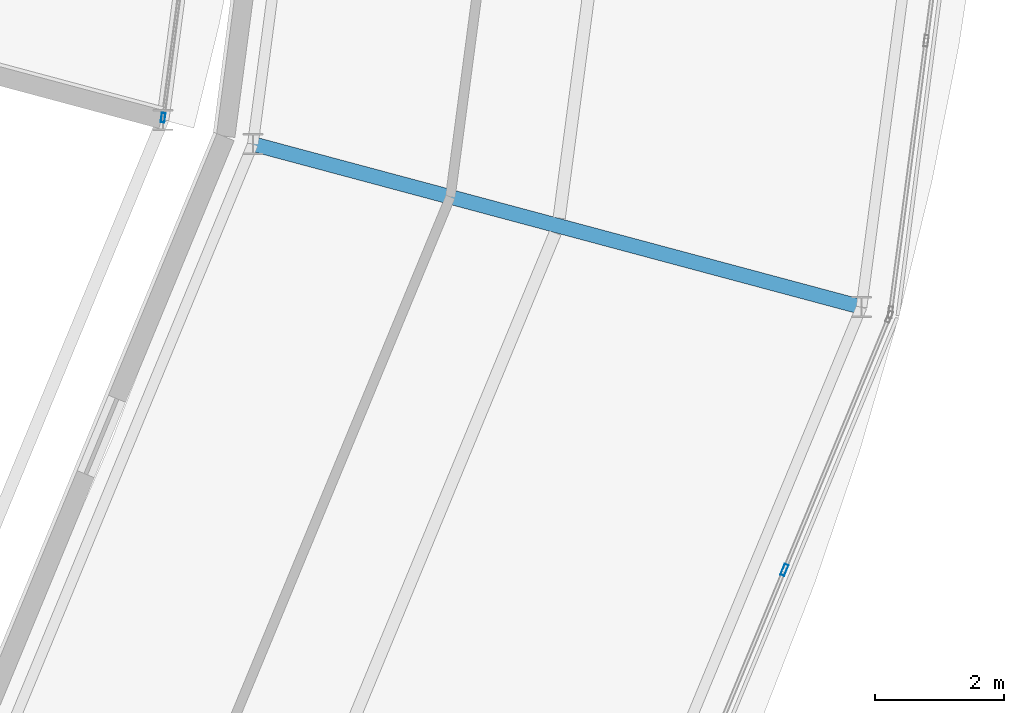
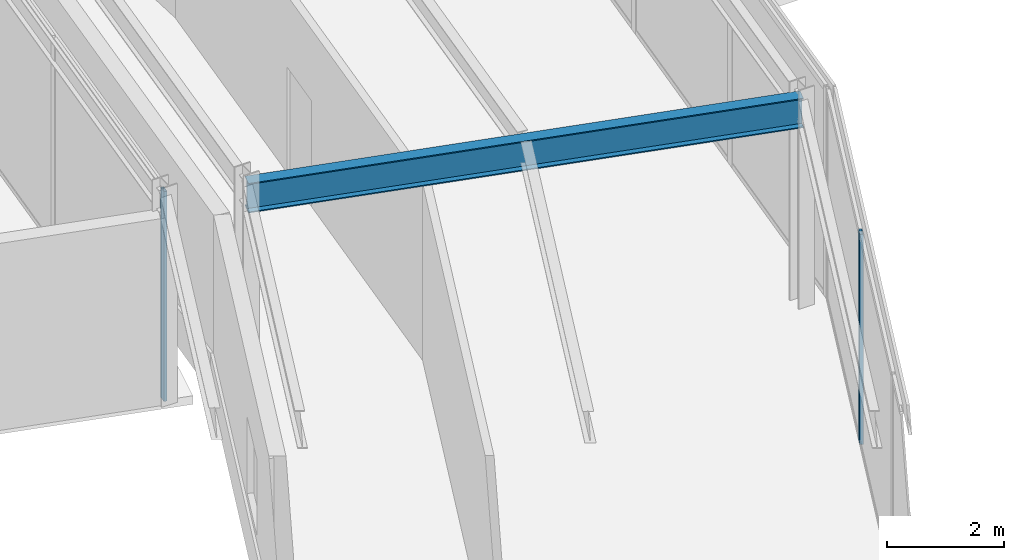
# One storey, part 39 of 133: 2 members, 1 beam, 2 elements without a shape of their own.
"""IFC4 building model written with IfcOpenShell, lengths in metres."""

from ifc_helpers import new_model, si_unit, direction, frame, origin, origin_2d, place, context, subcontext, project, spatial, hollow_rectangle, i_section, extrude, material, material_profile, profile_set, type_object, element, aggregate, save


model = new_model("IFC4")

# Units and contexts
model_context = context("Model", 3, precision=1e-05, world=origin(), true_north=direction((0.0, 1.0)))
body_context = subcontext(model_context, "Body", "Model", "MODEL_VIEW")
ifc_project = project(units=[si_unit("LENGTHUNIT", "METRE"), si_unit("AREAUNIT", "SQUARE_METRE"), si_unit("VOLUMEUNIT", "CUBIC_METRE"), si_unit("PLANEANGLEUNIT", "RADIAN"), si_unit("MASSUNIT", "GRAM", prefix="KILO")], contexts=[model_context])

# Site, building, storey
site_placement = place(None, origin())
site = spatial("IfcSite", under=ifc_project, at=site_placement, CompositionType="ELEMENT")
building_placement = place(site_placement, origin())
building = spatial("IfcBuilding", under=site, at=building_placement, Name="Almandine Court Research Institute", CompositionType="ELEMENT")
storey_placement = place(building_placement, frame((0.0, 0.0, 9.800048828125)))
storey = spatial("IfcBuildingStorey", under=building, at=storey_placement, Name="L02", CompositionType="ELEMENT", Elevation=9.800048828125)

# Beam
ifc_material_1 = material(Name="Steel ASTM A992 Grade 50", Category="steel")
ifc_material_profile_1 = material_profile(ifc_material_1, i_section(OverallWidth=0.22998046875, OverallDepth=0.616943359375, WebThickness=0.012939453125, FlangeThickness=0.02197265625, at=origin_2d()), Name="W610x140")
ifc_profile_set_1 = profile_set([ifc_material_profile_1], Name="Steel ASTM A992 Grade 50")
beam_type = type_object("IfcBeamType", Name="Beam-G-02", PredefinedType="BEAM", material=ifc_profile_set_1)
beam_placement = place(storey_placement, frame((124.76806640625, 45.8798828125, 4.013916015625), z_axis=(0.965937821551, -0.258774274024, 0.0), x_axis=(0.258774274024, 0.965937821551, 0.0)))
element("IfcBeam", 1, at=beam_placement, inside=storey, type_object=beam_type, Name="L02 Drum Radial Girder 23", PredefinedType="BEAM", context=body_context, shape_type="SweptSolid", body=[
    extrude(i_section(OverallWidth=0.22998046875, OverallDepth=0.616943359375, WebThickness=0.012939453125, FlangeThickness=0.02197265625, at=origin_2d()), origin(), (0.0, 0.0, 1.0), 9.799560546875),
])

# Curtain wall, member
ifc_material_2 = material(Name="Unitised Curtain Wall Framing and Solar Glazing", Category="glass")
curtain_wall_type_1 = type_object("IfcCurtainWallType", Name="CW-CWG-24", PredefinedType="USERDEFINED", material=ifc_material_2)
curtain_wall_1_placement = place(storey_placement, origin())
curtain_wall_1 = element("IfcCurtainWall", 2, at=curtain_wall_1_placement, inside=storey, type_object=curtain_wall_type_1, Name="L02 Interaction Atrium Perimeter Curtain Wall 23", ObjectType="UNITISED GLAZING", PredefinedType="USERDEFINED")
ifc_material_3 = material(Name="Anodised Aluminium AW-6063-T6", Category="aluminium")
ifc_material_profile_2 = material_profile(ifc_material_3, hollow_rectangle(XDim=0.06005859375, YDim=0.14990234375, WallThickness=0.00390625, at=origin_2d()), Name="ALU RHS 60x150x4")
ifc_profile_set_2 = profile_set([ifc_material_profile_2], Name="Anodised Aluminium AW-6063-T6")
member_type_1 = type_object("IfcMemberType", Name="CWMul-60x150", PredefinedType="MULLION", material=ifc_profile_set_2)
member_1_placement = place(storey_placement, frame((123.371826171875, 46.288818359375, 0.0), z_axis=(0.0, 0.0, 1.0), x_axis=(0.991443548509, -0.130536164028, 0.0)))
member_1 = element("IfcMember", 3, at=member_1_placement, type_object=member_type_1, Name="CWG-24 mullion 3", PredefinedType="MULLION", context=body_context, shape_type="SweptSolid", body=[
    extrude(hollow_rectangle(XDim=0.06005859375, YDim=0.14990234375, WallThickness=0.00390625, at=origin_2d()), origin(), (0.0, 0.0, 1.0), 4.369873046875),
])
aggregate(curtain_wall_1, [member_1])

curtain_wall_type_2 = type_object("IfcCurtainWallType", Name="CW-CWJ-19", PredefinedType="USERDEFINED", material=ifc_material_2)
curtain_wall_2_placement = place(storey_placement, origin())
curtain_wall_2 = element("IfcCurtainWall", 4, at=curtain_wall_2_placement, inside=storey, type_object=curtain_wall_type_2, Name="L02 Stacked-Ring Drum Outer Solar Jali Screen 22", ObjectType="SOLAR JALI SCREEN", PredefinedType="USERDEFINED")
ifc_material_profile_3 = material_profile(ifc_material_3, hollow_rectangle(XDim=0.06494140625, YDim=0.179931640625, WallThickness=0.00390625, at=origin_2d()), Name="ALU RHS 65x180x4")
ifc_profile_set_3 = profile_set([ifc_material_profile_3], Name="Anodised Aluminium AW-6063-T6")
member_type_2 = type_object("IfcMemberType", Name="CWMul-65x180", PredefinedType="MULLION", material=ifc_profile_set_3)
member_2_placement = place(storey_placement, frame((133.034423828125, 39.2548828125, 0.0), z_axis=(0.0, 0.0, 1.0), x_axis=(0.923888124321, -0.382662689242, 0.0)))
member_2 = element("IfcMember", 5, at=member_2_placement, type_object=member_type_2, Name="CWJ-19 mullion 2", PredefinedType="MULLION", context=body_context, shape_type="SweptSolid", body=[
    extrude(hollow_rectangle(XDim=0.06494140625, YDim=0.179931640625, WallThickness=0.00390625, at=origin_2d()), origin(), (0.0, 0.0, 1.0), 4.369873046875),
])
aggregate(curtain_wall_2, [member_2])

save(model, "model.ifc")
